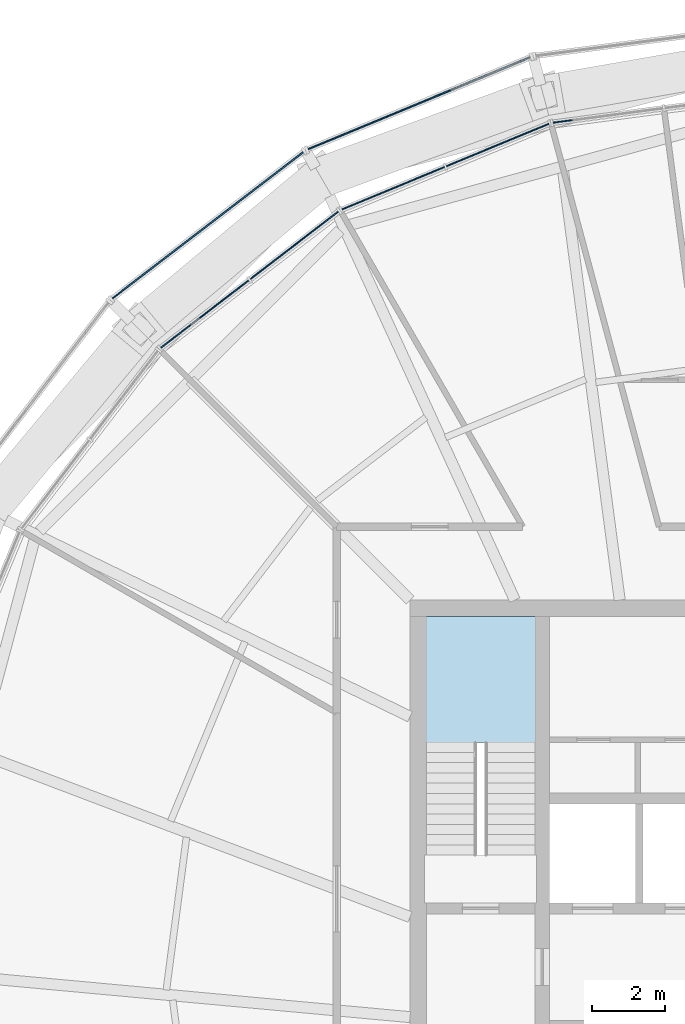
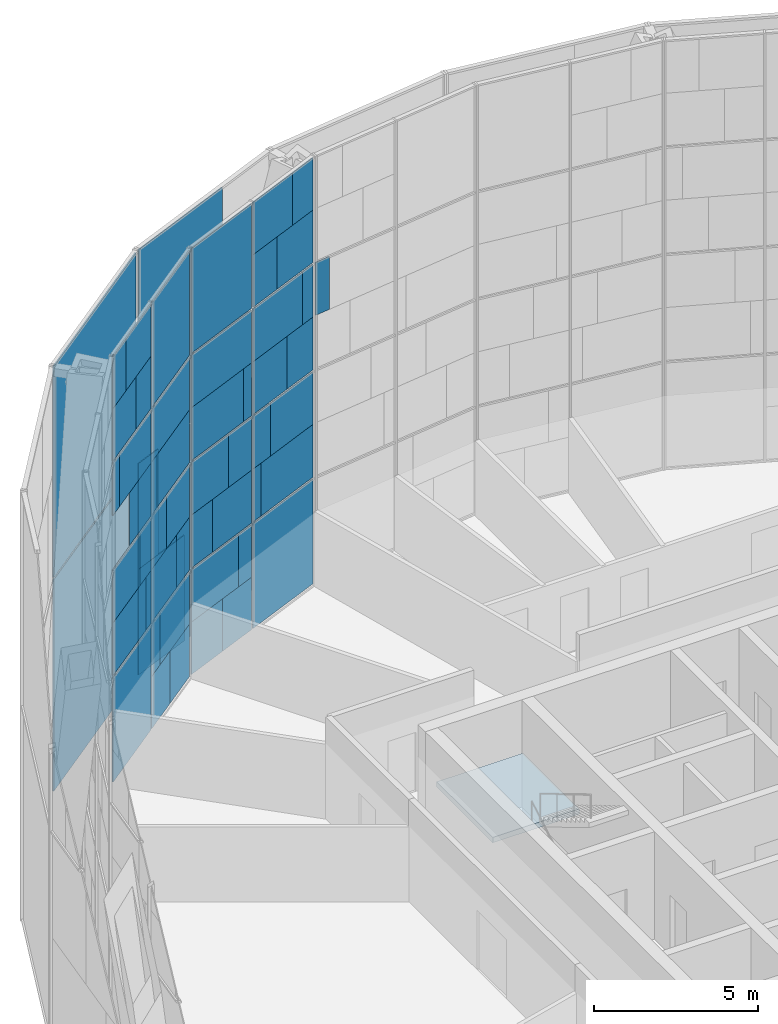
# One storey, part 21 of 28: 60 plates, 1 slab, 6 elements without a shape of their own.
"""IFC4 building model written with IfcOpenShell, lengths in metres."""

from ifc_helpers import new_model, si_unit, direction, frame, origin, origin_2d, place, context, subcontext, project, spatial, polyline, rectangle, outline, extrude, material, layer, layer_set, type_object, element, aggregate, save


model = new_model("IFC4")

# Units and contexts
model_context = context("Model", 3, precision=1e-05, world=origin(), true_north=direction((0.0, 1.0)))
body_context = subcontext(model_context, "Body", "Model", "MODEL_VIEW")
ifc_project = project(units=[si_unit("LENGTHUNIT", "METRE"), si_unit("AREAUNIT", "SQUARE_METRE"), si_unit("VOLUMEUNIT", "CUBIC_METRE"), si_unit("PLANEANGLEUNIT", "RADIAN"), si_unit("MASSUNIT", "GRAM", prefix="KILO")], contexts=[model_context])

# Site, building, storey
site_placement = place(None, origin())
site = spatial("IfcSite", under=ifc_project, at=site_placement, CompositionType="ELEMENT")
building_placement = place(site_placement, origin())
building = spatial("IfcBuilding", under=site, at=building_placement, Name="Golbaran Civic Tower", CompositionType="ELEMENT")
storey_placement = place(building_placement, frame((0.0, 0.0, 183.0)))
storey = spatial("IfcBuildingStorey", under=building, at=storey_placement, Name="L44", CompositionType="ELEMENT", Elevation=183.0)

# Curtain wall, plate
ifc_material_1 = material(Name="Aluminium and glass", Category="aluminium")
curtain_wall_type_1 = type_object("IfcCurtainWallType", Name="INNER SKIN CURTAIN WALL EXECUTIVE", PredefinedType="NOTDEFINED", material=ifc_material_1)
curtain_wall_1_placement = place(storey_placement, origin())
curtain_wall_1 = element("IfcCurtainWall", 1, at=curtain_wall_1_placement, inside=storey, type_object=curtain_wall_type_1, Name="Inner skin L44 facet 7 CW2", ObjectType="INNER SKIN", PredefinedType="USERDEFINED")
ifc_material_2 = material(Name="Clear insulating glass", Category="glass")
ifc_layer_1 = layer(ifc_material_2, 0.031982421875, Name="Clear insulating glass")
ifc_layer_set_1 = layer_set([ifc_layer_1], Name="Clear insulating glass")
plate_type_1 = type_object("IfcPlateType", Name="INNER SKIN CURTAIN WALL EXECUTIVE GLAZED PANEL", PredefinedType="CURTAIN_PANEL", material=ifc_layer_set_1)
plate_1_placement = place(storey_placement, frame((-5.84423828125, 23.04248046875, 10.0), z_axis=(0.0, 0.0, 1.0), x_axis=(-0.991444861383, -0.130526192151, 0.0)))
plate_1 = element("IfcPlate", 2, at=plate_1_placement, type_object=plate_type_1, Name="CW2 panel 2.3 part 4", PredefinedType="CURTAIN_PANEL", context=body_context, shape_type="SweptSolid", body=[
    extrude(rectangle(XDim=0.523193359375, YDim=0.031982421875, at=origin_2d()), origin(), (0.0, 0.0, 1.0), 1.969970703125),
])
aggregate(curtain_wall_1, [plate_1])

# Curtain wall, plates
curtain_wall_2_placement = place(storey_placement, origin())
curtain_wall_2 = element("IfcCurtainWall", 3, at=curtain_wall_2_placement, inside=storey, type_object=curtain_wall_type_1, Name="Inner skin L44 facet 8 CW2", ObjectType="INNER SKIN", PredefinedType="USERDEFINED")
plate_2_placement = place(storey_placement, frame((-7.612548828125, 22.400146484375, 0.06005859375), z_axis=(0.0, 0.0, 1.0), x_axis=(-0.923879532491, -0.382683432413, 0.0)))
plate_2 = element("IfcPlate", 4, at=plate_2_placement, type_object=plate_type_1, Name="CW2 panel 1.1", PredefinedType="CURTAIN_PANEL", context=body_context, shape_type="SweptSolid", body=[
    extrude(rectangle(XDim=3.01806640625, YDim=0.031982421875, at=origin_2d()), origin(), (0.0, 0.0, 1.0), 3.909912109375),
])
plate_3_placement = place(storey_placement, frame((-7.42724609375, 22.476806640625, 4.02978515625), z_axis=(0.0, 0.0, 1.0), x_axis=(-0.923879532491, -0.382683432413, 0.0)))
plate_3 = element("IfcPlate", 5, at=plate_3_placement, type_object=plate_type_1, Name="CW2 panel 1.2 part 1", PredefinedType="CURTAIN_PANEL", context=body_context, shape_type="SweptSolid", body=[
    extrude(rectangle(XDim=2.616943359375, YDim=0.031982421875, at=origin_2d()), origin(), (0.0, 0.0, 1.0), 1.969970703125),
])
plate_4_placement = place(storey_placement, frame((-7.205078125, 22.56884765625, 6.0), z_axis=(0.0, 0.0, 1.0), x_axis=(-0.923879532491, -0.382683432413, 0.0)))
plate_4 = element("IfcPlate", 6, at=plate_4_placement, type_object=plate_type_1, Name="CW2 panel 1.2 part 3", PredefinedType="CURTAIN_PANEL", context=body_context, shape_type="SweptSolid", body=[
    extrude(rectangle(XDim=2.135986328125, YDim=0.031982421875, at=origin_2d()), origin(), (0.0, 0.0, 1.0), 1.969970703125),
])
plate_5_placement = place(storey_placement, frame((-6.826904296875, 22.7255859375, 8.02978515625), z_axis=(0.0, 0.0, 1.0), x_axis=(-0.923879532491, -0.382683432413, 0.0)))
plate_5 = element("IfcPlate", 7, at=plate_5_placement, type_object=plate_type_1, Name="CW2 panel 1.3 part 1", PredefinedType="CURTAIN_PANEL", context=body_context, shape_type="SweptSolid", body=[
    extrude(rectangle(XDim=1.31689453125, YDim=0.031982421875, at=origin_2d()), origin(), (0.0, 0.0, 1.0), 1.969970703125),
])
plate_6_placement = place(storey_placement, frame((-6.4599609375, 22.877685546875, 10.0), z_axis=(0.0, 0.0, 1.0), x_axis=(-0.923879532491, -0.382683432413, 0.0)))
plate_6 = element("IfcPlate", 8, at=plate_6_placement, type_object=plate_type_1, Name="CW2 panel 1.3 part 3", PredefinedType="CURTAIN_PANEL", context=body_context, shape_type="SweptSolid", body=[
    extrude(rectangle(XDim=0.52294921875, YDim=0.031982421875, at=origin_2d()), origin(), (0.0, 0.0, 1.0), 1.969970703125),
])
plate_7_placement = place(storey_placement, frame((-8.44873046875, 22.053955078125, 12.030029296875), z_axis=(0.0, 0.0, 1.0), x_axis=(-0.923879532491, -0.382683432413, 0.0)))
plate_7 = element("IfcPlate", 9, at=plate_7_placement, type_object=plate_type_1, Name="CW2 panel 1.4 part 2", PredefinedType="CURTAIN_PANEL", context=body_context, shape_type="SweptSolid", body=[
    extrude(rectangle(XDim=1.2080078125, YDim=0.031982421875, at=origin_2d()), origin(), (0.0, 0.0, 1.0), 1.955078125),
])
plate_8_placement = place(storey_placement, frame((-8.084716796875, 22.20458984375, 13.98486328125), z_axis=(0.0, 0.0, 1.0), x_axis=(-0.923879532491, -0.382683432413, 0.0)))
plate_8 = element("IfcPlate", 10, at=plate_8_placement, type_object=plate_type_1, Name="CW2 panel 1.4 part 4", PredefinedType="CURTAIN_PANEL", context=body_context, shape_type="SweptSolid", body=[
    extrude(rectangle(XDim=1.99609375, YDim=0.031982421875, at=origin_2d()), origin(), (0.0, 0.0, 1.0), 1.955078125),
])
plate_9_placement = place(storey_placement, frame((-9.736083984375, 21.5205078125, 0.06005859375), z_axis=(0.0, 0.0, 1.0), x_axis=(-0.923879532491, -0.382683432413, 0.0)))
plate_9 = element("IfcPlate", 11, at=plate_9_placement, type_object=plate_type_1, Name="CW2 panel 2.1 part 1", PredefinedType="CURTAIN_PANEL", context=body_context, shape_type="SweptSolid", body=[
    extrude(rectangle(XDim=1.458984375, YDim=0.031982421875, at=origin_2d()), origin(), (0.0, 0.0, 1.0), 1.955078125),
])
plate_10_placement = place(storey_placement, frame((-9.371826171875, 21.671630859375, 2.014892578125), z_axis=(0.0, 0.0, 1.0), x_axis=(-0.923879532491, -0.382683432413, 0.0)))
plate_10 = element("IfcPlate", 12, at=plate_10_placement, type_object=plate_type_1, Name="CW2 panel 2.1 part 3", PredefinedType="CURTAIN_PANEL", context=body_context, shape_type="SweptSolid", body=[
    extrude(rectangle(XDim=0.669921875, YDim=0.031982421875, at=origin_2d()), origin(), (0.0, 0.0, 1.0), 1.955078125),
])
plate_11_placement = place(storey_placement, frame((-11.36083984375, 20.84765625, 4.02978515625), z_axis=(0.0, 0.0, 1.0), x_axis=(-0.923879532491, -0.382683432413, 0.0)))
plate_11 = element("IfcPlate", 13, at=plate_11_placement, type_object=plate_type_1, Name="CW2 panel 2.2 part 2", PredefinedType="CURTAIN_PANEL", context=body_context, shape_type="SweptSolid", body=[
    extrude(rectangle(XDim=1.06005859375, YDim=0.031982421875, at=origin_2d()), origin(), (0.0, 0.0, 1.0), 1.969970703125),
])
plate_12_placement = place(storey_placement, frame((-10.99365234375, 20.999755859375, 6.0), z_axis=(0.0, 0.0, 1.0), x_axis=(-0.923879532491, -0.382683432413, 0.0)))
plate_12 = element("IfcPlate", 14, at=plate_12_placement, type_object=plate_type_1, Name="CW2 panel 2.2 part 4", PredefinedType="CURTAIN_PANEL", context=body_context, shape_type="SweptSolid", body=[
    extrude(rectangle(XDim=1.85498046875, YDim=0.031982421875, at=origin_2d()), origin(), (0.0, 0.0, 1.0), 1.969970703125),
])
plate_13_placement = place(storey_placement, frame((-10.6416015625, 21.1455078125, 8.02978515625), z_axis=(0.0, 0.0, 1.0), x_axis=(-0.923879532491, -0.382683432413, 0.0)))
plate_13 = element("IfcPlate", 15, at=plate_13_placement, type_object=plate_type_1, Name="CW2 panel 2.3 part 2", PredefinedType="CURTAIN_PANEL", context=body_context, shape_type="SweptSolid", body=[
    extrude(rectangle(XDim=2.6171875, YDim=0.031982421875, at=origin_2d()), origin(), (0.0, 0.0, 1.0), 1.969970703125),
])
plate_14_placement = place(storey_placement, frame((-10.456298828125, 21.22216796875, 10.0), z_axis=(0.0, 0.0, 1.0), x_axis=(-0.923879532491, -0.382683432413, 0.0)))
plate_14 = element("IfcPlate", 16, at=plate_14_placement, type_object=plate_type_1, Name="CW2 panel 2.3 part 3", PredefinedType="CURTAIN_PANEL", context=body_context, shape_type="SweptSolid", body=[
    extrude(rectangle(XDim=3.01806640625, YDim=0.031982421875, at=origin_2d()), origin(), (0.0, 0.0, 1.0), 1.969970703125),
])
plate_15_placement = place(storey_placement, frame((-10.456298828125, 21.22216796875, 12.0302734375), z_axis=(0.0, 0.0, 1.0), x_axis=(-0.923879532491, -0.382683432413, 0.0)))
plate_15 = element("IfcPlate", 17, at=plate_15_placement, type_object=plate_type_1, Name="CW2 panel 2.4", PredefinedType="CURTAIN_PANEL", context=body_context, shape_type="SweptSolid", body=[
    extrude(rectangle(XDim=3.01806640625, YDim=0.031982421875, at=origin_2d()), origin(), (0.0, 0.0, 1.0), 3.909912109375),
])

curtain_wall_3_placement = place(storey_placement, origin())
curtain_wall_3 = element("IfcCurtainWall", 18, at=curtain_wall_3_placement, inside=storey, type_object=curtain_wall_type_1, Name="Inner skin L44 facet 9 CW2", ObjectType="INNER SKIN", PredefinedType="USERDEFINED")
plate_16_placement = place(storey_placement, frame((-13.769287109375, 19.192138671875, 0.06005859375), z_axis=(0.0, 0.0, 1.0), x_axis=(-0.793353340334, -0.608761428953, 0.0)))
plate_16 = element("IfcPlate", 19, at=plate_16_placement, type_object=plate_type_1, Name="CW2 panel 1.1 part 2", PredefinedType="CURTAIN_PANEL", context=body_context, shape_type="SweptSolid", body=[
    extrude(rectangle(XDim=1.458984375, YDim=0.031982421875, at=origin_2d()), origin(), (0.0, 0.0, 1.0), 1.955078125),
])
plate_17_placement = place(storey_placement, frame((-14.082275390625, 18.951904296875, 2.014892578125), z_axis=(0.0, 0.0, 1.0), x_axis=(-0.793353340334, -0.608761428953, 0.0)))
plate_17 = element("IfcPlate", 20, at=plate_17_placement, type_object=plate_type_1, Name="CW2 panel 1.1 part 4", PredefinedType="CURTAIN_PANEL", context=body_context, shape_type="SweptSolid", body=[
    extrude(rectangle(XDim=0.670166015625, YDim=0.031982421875, at=origin_2d()), origin(), (0.0, 0.0, 1.0), 1.955078125),
])
plate_18_placement = place(storey_placement, frame((-12.3740234375, 20.2626953125, 4.02978515625), z_axis=(0.0, 0.0, 1.0), x_axis=(-0.793353340334, -0.608761428953, 0.0)))
plate_18 = element("IfcPlate", 21, at=plate_18_placement, type_object=plate_type_1, Name="CW2 panel 1.2 part 1", PredefinedType="CURTAIN_PANEL", context=body_context, shape_type="SweptSolid", body=[
    extrude(rectangle(XDim=1.06005859375, YDim=0.031982421875, at=origin_2d()), origin(), (0.0, 0.0, 1.0), 1.969970703125),
])
plate_19_placement = place(storey_placement, frame((-12.689453125, 20.020751953125, 6.0), z_axis=(0.0, 0.0, 1.0), x_axis=(-0.793353340334, -0.608761428953, 0.0)))
plate_19 = element("IfcPlate", 22, at=plate_19_placement, type_object=plate_type_1, Name="CW2 panel 1.2 part 3", PredefinedType="CURTAIN_PANEL", context=body_context, shape_type="SweptSolid", body=[
    extrude(rectangle(XDim=1.85498046875, YDim=0.031982421875, at=origin_2d()), origin(), (0.0, 0.0, 1.0), 1.969970703125),
])
plate_20_placement = place(storey_placement, frame((-12.99169921875, 19.788818359375, 8.02978515625), z_axis=(0.0, 0.0, 1.0), x_axis=(-0.793353340334, -0.608761428953, 0.0)))
plate_20 = element("IfcPlate", 23, at=plate_20_placement, type_object=plate_type_1, Name="CW2 panel 1.3 part 1", PredefinedType="CURTAIN_PANEL", context=body_context, shape_type="SweptSolid", body=[
    extrude(rectangle(XDim=2.616943359375, YDim=0.031982421875, at=origin_2d()), origin(), (0.0, 0.0, 1.0), 1.969970703125),
])
plate_21_placement = place(storey_placement, frame((-13.15087890625, 19.66650390625, 10.0), z_axis=(0.0, 0.0, 1.0), x_axis=(-0.793353340334, -0.608761428953, 0.0)))
plate_21 = element("IfcPlate", 24, at=plate_21_placement, type_object=plate_type_1, Name="CW2 panel 1.3 part 3", PredefinedType="CURTAIN_PANEL", context=body_context, shape_type="SweptSolid", body=[
    extrude(rectangle(XDim=3.01806640625, YDim=0.031982421875, at=origin_2d()), origin(), (0.0, 0.0, 1.0), 1.969970703125),
])
plate_22_placement = place(storey_placement, frame((-13.15087890625, 19.66650390625, 12.0302734375), z_axis=(0.0, 0.0, 1.0), x_axis=(-0.793353340334, -0.608761428953, 0.0)))
plate_22 = element("IfcPlate", 25, at=plate_22_placement, type_object=plate_type_1, Name="CW2 panel 1.4", PredefinedType="CURTAIN_PANEL", context=body_context, shape_type="SweptSolid", body=[
    extrude(rectangle(XDim=3.01806640625, YDim=0.031982421875, at=origin_2d()), origin(), (0.0, 0.0, 1.0), 3.909912109375),
])
plate_23_placement = place(storey_placement, frame((-15.5927734375, 17.792724609375, 0.06005859375), z_axis=(0.0, 0.0, 1.0), x_axis=(-0.793353340334, -0.608761428953, 0.0)))
plate_23 = element("IfcPlate", 26, at=plate_23_placement, type_object=plate_type_1, Name="CW2 panel 2.1", PredefinedType="CURTAIN_PANEL", context=body_context, shape_type="SweptSolid", body=[
    extrude(rectangle(XDim=3.01806640625, YDim=0.031982421875, at=origin_2d()), origin(), (0.0, 0.0, 1.0), 3.909912109375),
])
plate_24_placement = place(storey_placement, frame((-15.75146484375, 17.671142578125, 4.02978515625), z_axis=(0.0, 0.0, 1.0), x_axis=(-0.793353340334, -0.608761428953, 0.0)))
plate_24 = element("IfcPlate", 27, at=plate_24_placement, type_object=plate_type_1, Name="CW2 panel 2.2 part 2", PredefinedType="CURTAIN_PANEL", context=body_context, shape_type="SweptSolid", body=[
    extrude(rectangle(XDim=2.6181640625, YDim=0.031982421875, at=origin_2d()), origin(), (0.0, 0.0, 1.0), 1.969970703125),
])
plate_25_placement = place(storey_placement, frame((-15.942626953125, 17.5244140625, 6.0), z_axis=(0.0, 0.0, 1.0), x_axis=(-0.793353340334, -0.608761428953, 0.0)))
plate_25 = element("IfcPlate", 28, at=plate_25_placement, type_object=plate_type_1, Name="CW2 panel 2.2 part 4", PredefinedType="CURTAIN_PANEL", context=body_context, shape_type="SweptSolid", body=[
    extrude(rectangle(XDim=2.135986328125, YDim=0.031982421875, at=origin_2d()), origin(), (0.0, 0.0, 1.0), 1.969970703125),
])
plate_26_placement = place(storey_placement, frame((-16.58251953125, 17.033447265625, 10.0), z_axis=(0.0, 0.0, 1.0), x_axis=(-0.793353340334, -0.608761428953, 0.0)))
plate_26 = element("IfcPlate", 29, at=plate_26_placement, type_object=plate_type_1, Name="CW2 panel 2.3 part 4", PredefinedType="CURTAIN_PANEL", context=body_context, shape_type="SweptSolid", body=[
    extrude(rectangle(XDim=0.523193359375, YDim=0.031982421875, at=origin_2d()), origin(), (0.0, 0.0, 1.0), 1.969970703125),
])
plate_27_placement = place(storey_placement, frame((-14.874755859375, 18.34375, 12.030029296875), z_axis=(0.0, 0.0, 1.0), x_axis=(-0.793353340334, -0.608761428953, 0.0)))
plate_27 = element("IfcPlate", 30, at=plate_27_placement, type_object=plate_type_1, Name="CW2 panel 2.4 part 1", PredefinedType="CURTAIN_PANEL", context=body_context, shape_type="SweptSolid", body=[
    extrude(rectangle(XDim=1.2080078125, YDim=0.031982421875, at=origin_2d()), origin(), (0.0, 0.0, 1.0), 1.955078125),
])
plate_28_placement = place(storey_placement, frame((-15.1875, 18.10400390625, 13.98486328125), z_axis=(0.0, 0.0, 1.0), x_axis=(-0.793353340334, -0.608761428953, 0.0)))
plate_28 = element("IfcPlate", 31, at=plate_28_placement, type_object=plate_type_1, Name="CW2 panel 2.4 part 3", PredefinedType="CURTAIN_PANEL", context=body_context, shape_type="SweptSolid", body=[
    extrude(rectangle(XDim=1.99609375, YDim=0.031982421875, at=origin_2d()), origin(), (0.0, 0.0, 1.0), 1.955078125),
])

# Plate
ifc_material_3 = material(Name="Aluminium faced opaque infill panel", Category="aluminium")
ifc_layer_2 = layer(ifc_material_3, 0.031982421875, Name="Aluminium faced opaque infill panel")
ifc_layer_set_2 = layer_set([ifc_layer_2], Name="Aluminium faced opaque infill panel")
plate_type_2 = type_object("IfcPlateType", Name="INNER SKIN CURTAIN WALL EXECUTIVE OPAQUE INFILL PANEL", PredefinedType="CURTAIN_PANEL", material=ifc_layer_set_2)
plate_29_placement = place(storey_placement, frame((-8.821533203125, 21.8994140625, 4.02978515625), z_axis=(0.0, 0.0, 1.0), x_axis=(-0.923879532491, -0.382683432413, 0.0)))
plate_29 = element("IfcPlate", 32, at=plate_29_placement, type_object=plate_type_2, Name="CW2 infill panel 1.2 part 2", PredefinedType="CURTAIN_PANEL", context=body_context, shape_type="SweptSolid", body=[
    extrude(rectangle(XDim=0.401123046875, YDim=0.031982421875, at=origin_2d()), origin(), (0.0, 0.0, 1.0), 1.969970703125),
])

plate_30_placement = place(storey_placement, frame((-8.599365234375, 21.991455078125, 6.0), z_axis=(0.0, 0.0, 1.0), x_axis=(-0.923879532491, -0.382683432413, 0.0)))
plate_30 = element("IfcPlate", 33, at=plate_30_placement, type_object=plate_type_2, Name="CW2 infill panel 1.2 part 4", PredefinedType="CURTAIN_PANEL", context=body_context, shape_type="SweptSolid", body=[
    extrude(rectangle(XDim=0.882080078125, YDim=0.031982421875, at=origin_2d()), origin(), (0.0, 0.0, 1.0), 1.969970703125),
])

plate_31_placement = place(storey_placement, frame((-8.220947265625, 22.148193359375, 8.02978515625), z_axis=(0.0, 0.0, 1.0), x_axis=(-0.923879532491, -0.382683432413, 0.0)))
plate_31 = element("IfcPlate", 34, at=plate_31_placement, type_object=plate_type_2, Name="CW2 infill panel 1.3 part 2", PredefinedType="CURTAIN_PANEL", context=body_context, shape_type="SweptSolid", body=[
    extrude(rectangle(XDim=1.701171875, YDim=0.031982421875, at=origin_2d()), origin(), (0.0, 0.0, 1.0), 1.969970703125),
])

plate_32_placement = place(storey_placement, frame((-7.854248046875, 22.300048828125, 10.0), z_axis=(0.0, 0.0, 1.0), x_axis=(-0.923879532491, -0.382683432413, 0.0)))
plate_32 = element("IfcPlate", 35, at=plate_32_placement, type_object=plate_type_2, Name="CW2 infill panel 1.3 part 4", PredefinedType="CURTAIN_PANEL", context=body_context, shape_type="SweptSolid", body=[
    extrude(rectangle(XDim=2.4951171875, YDim=0.031982421875, at=origin_2d()), origin(), (0.0, 0.0, 1.0), 1.969970703125),
])

plate_33_placement = place(storey_placement, frame((-7.054443359375, 22.63134765625, 12.030029296875), z_axis=(0.0, 0.0, 1.0), x_axis=(-0.923879532491, -0.382683432413, 0.0)))
plate_33 = element("IfcPlate", 36, at=plate_33_placement, type_object=plate_type_2, Name="CW2 infill panel 1.4 part 1", PredefinedType="CURTAIN_PANEL", context=body_context, shape_type="SweptSolid", body=[
    extrude(rectangle(XDim=1.81005859375, YDim=0.031982421875, at=origin_2d()), origin(), (0.0, 0.0, 1.0), 1.955078125),
])

plate_34_placement = place(storey_placement, frame((-6.6904296875, 22.7822265625, 13.98486328125), z_axis=(0.0, 0.0, 1.0), x_axis=(-0.923879532491, -0.382683432413, 0.0)))
plate_34 = element("IfcPlate", 37, at=plate_34_placement, type_object=plate_type_2, Name="CW2 infill panel 1.4 part 3", PredefinedType="CURTAIN_PANEL", context=body_context, shape_type="SweptSolid", body=[
    extrude(rectangle(XDim=1.02197265625, YDim=0.031982421875, at=origin_2d()), origin(), (0.0, 0.0, 1.0), 1.955078125),
])

plate_35_placement = place(storey_placement, frame((-11.13037109375, 20.943115234375, 0.06005859375), z_axis=(0.0, 0.0, 1.0), x_axis=(-0.923879532491, -0.382683432413, 0.0)))
plate_35 = element("IfcPlate", 38, at=plate_35_placement, type_object=plate_type_2, Name="CW2 infill panel 2.1 part 2", PredefinedType="CURTAIN_PANEL", context=body_context, shape_type="SweptSolid", body=[
    extrude(rectangle(XDim=1.55908203125, YDim=0.031982421875, at=origin_2d()), origin(), (0.0, 0.0, 1.0), 1.955078125),
])

plate_36_placement = place(storey_placement, frame((-10.765869140625, 21.093994140625, 2.014892578125), z_axis=(0.0, 0.0, 1.0), x_axis=(-0.923879532491, -0.382683432413, 0.0)))
plate_36 = element("IfcPlate", 39, at=plate_36_placement, type_object=plate_type_2, Name="CW2 infill panel 2.1 part 4", PredefinedType="CURTAIN_PANEL", context=body_context, shape_type="SweptSolid", body=[
    extrude(rectangle(XDim=2.34814453125, YDim=0.031982421875, at=origin_2d()), origin(), (0.0, 0.0, 1.0), 1.955078125),
])

plate_37_placement = place(storey_placement, frame((-9.966796875, 21.425048828125, 4.02978515625), z_axis=(0.0, 0.0, 1.0), x_axis=(-0.923879532491, -0.382683432413, 0.0)))
plate_37 = element("IfcPlate", 40, at=plate_37_placement, type_object=plate_type_2, Name="CW2 infill panel 2.2 part 1", PredefinedType="CURTAIN_PANEL", context=body_context, shape_type="SweptSolid", body=[
    extrude(rectangle(XDim=1.9580078125, YDim=0.031982421875, at=origin_2d()), origin(), (0.0, 0.0, 1.0), 1.969970703125),
])

plate_38_placement = place(storey_placement, frame((-9.599365234375, 21.5771484375, 6.0), z_axis=(0.0, 0.0, 1.0), x_axis=(-0.923879532491, -0.382683432413, 0.0)))
plate_38 = element("IfcPlate", 41, at=plate_38_placement, type_object=plate_type_2, Name="CW2 infill panel 2.2 part 3", PredefinedType="CURTAIN_PANEL", context=body_context, shape_type="SweptSolid", body=[
    extrude(rectangle(XDim=1.1630859375, YDim=0.031982421875, at=origin_2d()), origin(), (0.0, 0.0, 1.0), 1.969970703125),
])

plate_39_placement = place(storey_placement, frame((-9.24755859375, 21.722900390625, 8.02978515625), z_axis=(0.0, 0.0, 1.0), x_axis=(-0.923879532491, -0.382683432413, 0.0)))
plate_39 = element("IfcPlate", 42, at=plate_39_placement, type_object=plate_type_2, Name="CW2 infill panel 2.3 part 1", PredefinedType="CURTAIN_PANEL", context=body_context, shape_type="SweptSolid", body=[
    extrude(rectangle(XDim=0.40087890625, YDim=0.031982421875, at=origin_2d()), origin(), (0.0, 0.0, 1.0), 1.969970703125),
])

aggregate(curtain_wall_2, [plate_2, plate_3, plate_29, plate_4, plate_30, plate_5, plate_31, plate_6, plate_32, plate_33, plate_7, plate_34, plate_8, plate_9, plate_35, plate_10, plate_36, plate_37, plate_11, plate_38, plate_12, plate_39, plate_13, plate_14, plate_15])

plate_40_placement = place(storey_placement, frame((-12.572021484375, 20.11083984375, 0.06005859375), z_axis=(0.0, 0.0, 1.0), x_axis=(-0.793353340334, -0.608761428953, 0.0)))
plate_40 = element("IfcPlate", 43, at=plate_40_placement, type_object=plate_type_2, Name="CW2 infill panel 1.1 part 1", PredefinedType="CURTAIN_PANEL", context=body_context, shape_type="SweptSolid", body=[
    extrude(rectangle(XDim=1.55908203125, YDim=0.031982421875, at=origin_2d()), origin(), (0.0, 0.0, 1.0), 1.955078125),
])

plate_41_placement = place(storey_placement, frame((-12.885009765625, 19.87060546875, 2.014892578125), z_axis=(0.0, 0.0, 1.0), x_axis=(-0.793353340334, -0.608761428953, 0.0)))
plate_41 = element("IfcPlate", 44, at=plate_41_placement, type_object=plate_type_2, Name="CW2 infill panel 1.1 part 3", PredefinedType="CURTAIN_PANEL", context=body_context, shape_type="SweptSolid", body=[
    extrude(rectangle(XDim=2.347900390625, YDim=0.031982421875, at=origin_2d()), origin(), (0.0, 0.0, 1.0), 1.955078125),
])

plate_42_placement = place(storey_placement, frame((-13.5712890625, 19.343994140625, 4.02978515625), z_axis=(0.0, 0.0, 1.0), x_axis=(-0.793353340334, -0.608761428953, 0.0)))
plate_42 = element("IfcPlate", 45, at=plate_42_placement, type_object=plate_type_2, Name="CW2 infill panel 1.2 part 2", PredefinedType="CURTAIN_PANEL", context=body_context, shape_type="SweptSolid", body=[
    extrude(rectangle(XDim=1.9580078125, YDim=0.031982421875, at=origin_2d()), origin(), (0.0, 0.0, 1.0), 1.969970703125),
])

plate_43_placement = place(storey_placement, frame((-13.88671875, 19.10205078125, 6.0), z_axis=(0.0, 0.0, 1.0), x_axis=(-0.793353340334, -0.608761428953, 0.0)))
plate_43 = element("IfcPlate", 46, at=plate_43_placement, type_object=plate_type_2, Name="CW2 infill panel 1.2 part 4", PredefinedType="CURTAIN_PANEL", context=body_context, shape_type="SweptSolid", body=[
    extrude(rectangle(XDim=1.1630859375, YDim=0.031982421875, at=origin_2d()), origin(), (0.0, 0.0, 1.0), 1.969970703125),
])

plate_44_placement = place(storey_placement, frame((-14.18896484375, 18.8701171875, 8.02978515625), z_axis=(0.0, 0.0, 1.0), x_axis=(-0.793353340334, -0.608761428953, 0.0)))
plate_44 = element("IfcPlate", 47, at=plate_44_placement, type_object=plate_type_2, Name="CW2 infill panel 1.3 part 2", PredefinedType="CURTAIN_PANEL", context=body_context, shape_type="SweptSolid", body=[
    extrude(rectangle(XDim=0.401123046875, YDim=0.031982421875, at=origin_2d()), origin(), (0.0, 0.0, 1.0), 1.969970703125),
])

plate_45_placement = place(storey_placement, frame((-14.55419921875, 18.589599609375, 4.02978515625), z_axis=(0.0, 0.0, 1.0), x_axis=(-0.793353340334, -0.608761428953, 0.0)))
plate_45 = element("IfcPlate", 48, at=plate_45_placement, type_object=plate_type_2, Name="CW2 infill panel 2.2 part 1", PredefinedType="CURTAIN_PANEL", context=body_context, shape_type="SweptSolid", body=[
    extrude(rectangle(XDim=0.39990234375, YDim=0.031982421875, at=origin_2d()), origin(), (0.0, 0.0, 1.0), 1.969970703125),
])

plate_46_placement = place(storey_placement, frame((-14.745361328125, 18.44287109375, 6.0), z_axis=(0.0, 0.0, 1.0), x_axis=(-0.793353340334, -0.608761428953, 0.0)))
plate_46 = element("IfcPlate", 49, at=plate_46_placement, type_object=plate_type_2, Name="CW2 infill panel 2.2 part 3", PredefinedType="CURTAIN_PANEL", context=body_context, shape_type="SweptSolid", body=[
    extrude(rectangle(XDim=0.882080078125, YDim=0.031982421875, at=origin_2d()), origin(), (0.0, 0.0, 1.0), 1.969970703125),
])

plate_47_placement = place(storey_placement, frame((-15.0703125, 18.193603515625, 8.02978515625), z_axis=(0.0, 0.0, 1.0), x_axis=(-0.793353340334, -0.608761428953, 0.0)))
plate_47 = element("IfcPlate", 50, at=plate_47_placement, type_object=plate_type_2, Name="CW2 infill panel 2.3 part 1", PredefinedType="CURTAIN_PANEL", context=body_context, shape_type="SweptSolid", body=[
    extrude(rectangle(XDim=1.700927734375, YDim=0.031982421875, at=origin_2d()), origin(), (0.0, 0.0, 1.0), 1.969970703125),
])

plate_48_placement = place(storey_placement, frame((-15.38525390625, 17.951904296875, 10.0), z_axis=(0.0, 0.0, 1.0), x_axis=(-0.793353340334, -0.608761428953, 0.0)))
plate_48 = element("IfcPlate", 51, at=plate_48_placement, type_object=plate_type_2, Name="CW2 infill panel 2.3 part 3", PredefinedType="CURTAIN_PANEL", context=body_context, shape_type="SweptSolid", body=[
    extrude(rectangle(XDim=2.4951171875, YDim=0.031982421875, at=origin_2d()), origin(), (0.0, 0.0, 1.0), 1.969970703125),
])

plate_49_placement = place(storey_placement, frame((-16.072021484375, 17.425048828125, 12.030029296875), z_axis=(0.0, 0.0, 1.0), x_axis=(-0.793353340334, -0.608761428953, 0.0)))
plate_49 = element("IfcPlate", 52, at=plate_49_placement, type_object=plate_type_2, Name="CW2 infill panel 2.4 part 2", PredefinedType="CURTAIN_PANEL", context=body_context, shape_type="SweptSolid", body=[
    extrude(rectangle(XDim=1.81005859375, YDim=0.031982421875, at=origin_2d()), origin(), (0.0, 0.0, 1.0), 1.955078125),
])

plate_50_placement = place(storey_placement, frame((-16.384521484375, 17.185302734375, 13.98486328125), z_axis=(0.0, 0.0, 1.0), x_axis=(-0.793353340334, -0.608761428953, 0.0)))
plate_50 = element("IfcPlate", 53, at=plate_50_placement, type_object=plate_type_2, Name="CW2 infill panel 2.4 part 4", PredefinedType="CURTAIN_PANEL", context=body_context, shape_type="SweptSolid", body=[
    extrude(rectangle(XDim=1.02197265625, YDim=0.031982421875, at=origin_2d()), origin(), (0.0, 0.0, 1.0), 1.955078125),
])

aggregate(curtain_wall_3, [plate_40, plate_16, plate_41, plate_17, plate_18, plate_42, plate_19, plate_43, plate_20, plate_44, plate_21, plate_22, plate_23, plate_45, plate_24, plate_46, plate_25, plate_47, plate_48, plate_26, plate_27, plate_49, plate_28, plate_50])

# Curtain wall, plates
curtain_wall_type_2 = type_object("IfcCurtainWallType", Name="OUTER SKIN TERRACOTTA SCREEN", PredefinedType="NOTDEFINED", material=ifc_material_1)
curtain_wall_4_placement = place(storey_placement, origin())
curtain_wall_4 = element("IfcCurtainWall", 54, at=curtain_wall_4_placement, inside=storey, type_object=curtain_wall_type_2, Name="Outer skin L44 facet 8 CW3", ObjectType="OUTER SKIN", PredefinedType="USERDEFINED")
ifc_material_4 = material(Name="Clear laminated glass", Category="glass")
ifc_layer_3 = layer(ifc_material_4, 0.0400390625, Name="Clear laminated glass")
ifc_layer_set_3 = layer_set([ifc_layer_3], Name="Clear laminated glass")
plate_type_3 = type_object("IfcPlateType", Name="OUTER SKIN CLEAR GLASS PANEL", PredefinedType="CURTAIN_PANEL", material=ifc_layer_set_3)
plate_51_placement = place(storey_placement, frame((-8.683837890625, 23.979248046875, -0.6298828125), z_axis=(0.0, 0.0, 1.0), x_axis=(-0.923879532518, -0.382683432349, 0.0)))
plate_51 = element("IfcPlate", 55, at=plate_51_placement, type_object=plate_type_3, Name="CW3 panel 1.1 part 1", PredefinedType="CURTAIN_PANEL", context=body_context, shape_type="SweptSolid", body=[
    extrude(rectangle(XDim=4.240966796875, YDim=0.0400390625, at=origin_2d()), origin(), (0.0, 0.0, 1.0), 3.93994140625),
])
plate_52_placement = place(storey_placement, frame((-7.949951171875, 24.283447265625, 3.31005859375), z_axis=(0.0, 0.0, 1.0), x_axis=(-0.923879532518, -0.382683432349, 0.0)))
plate_52 = element("IfcPlate", 56, at=plate_52_placement, type_object=plate_type_3, Name="CW3 panel 1.1 part 3", PredefinedType="CURTAIN_PANEL", context=body_context, shape_type="SweptSolid", body=[
    extrude(rectangle(XDim=2.652099609375, YDim=0.0400390625, at=origin_2d()), origin(), (0.0, 0.0, 1.0), 3.93994140625),
])
plate_53_placement = place(storey_placement, frame((-12.314453125, 22.4755859375, 3.31005859375), z_axis=(0.0, 0.0, 1.0), x_axis=(-0.923879532518, -0.382683432349, 0.0)))
plate_53 = element("IfcPlate", 57, at=plate_53_placement, type_object=plate_type_3, Name="CW3 panel 1.1 part 5", PredefinedType="CURTAIN_PANEL", context=body_context, shape_type="SweptSolid", body=[
    extrude(rectangle(XDim=0.996337890625, YDim=0.0400390625, at=origin_2d()), origin(), (0.0, 0.0, 1.0), 3.93994140625),
])
plate_54_placement = place(storey_placement, frame((-11.565673828125, 22.78564453125, 7.330078125), z_axis=(0.0, 0.0, 1.0), x_axis=(-0.923879532518, -0.382683432349, 0.0)))
plate_54 = element("IfcPlate", 58, at=plate_54_placement, type_object=plate_type_3, Name="CW3 panel 1.2 part 3", PredefinedType="CURTAIN_PANEL", context=body_context, shape_type="SweptSolid", body=[
    extrude(rectangle(XDim=2.6171875, YDim=0.0400390625, at=origin_2d()), origin(), (0.0, 0.0, 1.0), 3.93994140625),
])
plate_55_placement = place(storey_placement, frame((-10.83056640625, 23.090087890625, 11.27001953125), z_axis=(0.0, 0.0, 1.0), x_axis=(-0.923879532518, -0.382683432349, 0.0)))
plate_55 = element("IfcPlate", 59, at=plate_55_placement, type_object=plate_type_3, Name="CW3 panel 1.2 part 5", PredefinedType="CURTAIN_PANEL", context=body_context, shape_type="SweptSolid", body=[
    extrude(rectangle(XDim=4.208251953125, YDim=0.0400390625, at=origin_2d()), origin(), (0.0, 0.0, 1.0), 3.93994140625),
])
ifc_material_5 = material(Name="Terracotta baguette screen", Category="masonry")
ifc_layer_4 = layer(ifc_material_5, 0.0400390625, Name="Terracotta baguette screen")
ifc_layer_set_4 = layer_set([ifc_layer_4], Name="Terracotta baguette screen")
plate_type_4 = type_object("IfcPlateType", Name="OUTER SKIN TERRACOTTA INFILL PANEL", PredefinedType="CURTAIN_PANEL", material=ifc_layer_set_4)
plate_56_placement = place(storey_placement, frame((-11.708740234375, 22.726318359375, -0.6298828125), z_axis=(0.0, 0.0, 1.0), x_axis=(-0.923879532518, -0.382683432349, 0.0)))
plate_56 = element("IfcPlate", 60, at=plate_56_placement, type_object=plate_type_4, Name="CW3 infill panel 1.1 part 2", PredefinedType="CURTAIN_PANEL", context=body_context, shape_type="SweptSolid", body=[
    extrude(rectangle(XDim=2.307373046875, YDim=0.0400390625, at=origin_2d()), origin(), (0.0, 0.0, 1.0), 3.93994140625),
])
plate_57_placement = place(storey_placement, frame((-10.5146484375, 23.220947265625, 3.31005859375), z_axis=(0.0, 0.0, 1.0), x_axis=(-0.923879532518, -0.382683432349, 0.0)))
plate_57 = element("IfcPlate", 61, at=plate_57_placement, type_object=plate_type_4, Name="CW3 infill panel 1.1 part 4", PredefinedType="CURTAIN_PANEL", context=body_context, shape_type="SweptSolid", body=[
    extrude(rectangle(XDim=2.89990234375, YDim=0.0400390625, at=origin_2d()), origin(), (0.0, 0.0, 1.0), 3.93994140625),
])
plate_58_placement = place(storey_placement, frame((-9.016845703125, 23.84130859375, 7.330078125), z_axis=(0.0, 0.0, 1.0), x_axis=(-0.923879532518, -0.382683432349, 0.0)))
plate_58 = element("IfcPlate", 62, at=plate_58_placement, type_object=plate_type_4, Name="CW3 infill panel 1.2 part 2", PredefinedType="CURTAIN_PANEL", context=body_context, shape_type="SweptSolid", body=[
    extrude(rectangle(XDim=2.89990234375, YDim=0.0400390625, at=origin_2d()), origin(), (0.0, 0.0, 1.0), 3.93994140625),
])
aggregate(curtain_wall_4, [plate_51, plate_56, plate_52, plate_57, plate_53, plate_58, plate_54, plate_55])

curtain_wall_5_placement = place(storey_placement, origin())
curtain_wall_5 = element("IfcCurtainWall", 63, at=curtain_wall_5_placement, inside=storey, type_object=curtain_wall_type_2, Name="Outer skin L44 facet 9 CW3", ObjectType="OUTER SKIN", PredefinedType="USERDEFINED")
ifc_layer_5 = layer(ifc_material_5, 0.0400390625, Name="Terracotta baguette screen")
ifc_layer_set_5 = layer_set([ifc_layer_5], Name="Terracotta baguette screen")
plate_type_5 = type_object("IfcPlateType", Name="OUTER SKIN TERRACOTTA SCREEN PANEL", PredefinedType="CURTAIN_PANEL", material=ifc_layer_set_5)
plate_59_placement = place(storey_placement, frame((-15.509521484375, 20.21240234375, -0.6298828125), z_axis=(0.0, 0.0, 1.0), x_axis=(-0.793353340281, -0.608761429023, 0.0)))
plate_59 = element("IfcPlate", 64, at=plate_59_placement, type_object=plate_type_5, Name="CW3 terracotta screen panel 1.1", PredefinedType="CURTAIN_PANEL", context=body_context, shape_type="SweptSolid", body=[
    extrude(rectangle(XDim=6.54833984375, YDim=0.0400390625, at=origin_2d()), origin(), (0.0, 0.0, 1.0), 7.8798828125),
])
plate_60_placement = place(storey_placement, frame((-15.509521484375, 20.21240234375, 7.330078125), z_axis=(0.0, 0.0, 1.0), x_axis=(-0.793353340281, -0.608761429023, 0.0)))
plate_60 = element("IfcPlate", 65, at=plate_60_placement, type_object=plate_type_5, Name="CW3 terracotta screen panel 1.2", PredefinedType="CURTAIN_PANEL", context=body_context, shape_type="SweptSolid", body=[
    extrude(rectangle(XDim=6.54833984375, YDim=0.0400390625, at=origin_2d()), origin(), (0.0, 0.0, 1.0), 7.8798828125),
])
aggregate(curtain_wall_5, [plate_59, plate_60])

# Stair, slab
ifc_material_6 = material(Name="Concrete C35/45", Category="concrete")
stair_type = type_object("IfcStairType", Name="EXIT STAIR 2950 x 7800, 4000 RISE", PredefinedType="HALF_TURN_STAIR", material=ifc_material_6)
stair_placement = place(storey_placement, origin())
stair = element("IfcStair", 66, at=stair_placement, inside=storey, type_object=stair_type, Name="Stair S1 L44", PredefinedType="HALF_TURN_STAIR")
ifc_layer_6 = layer(ifc_material_6, 0.199951171875, Name="Concrete C35/45")
ifc_layer_set_6 = layer_set([ifc_layer_6], Name="Concrete C35/45")
slab_type = type_object("IfcSlabType", Name="STAIR LANDING 200", PredefinedType="LANDING", material=ifc_layer_set_6)
slab_placement = place(storey_placement, frame((0.0, 0.0, 1.800048828125)))
slab = element("IfcSlab", 67, at=slab_placement, type_object=slab_type, Name="ST29578-40 landing 1", PredefinedType="LANDING", context=body_context, shape_type="SweptSolid", body=[
    extrude(outline(polyline([(-9.60009765625, 6.125), (-9.60009765625, 9.550048828125), (-6.550048828125, 9.550048828125), (-6.550048828125, 6.125), (-9.60009765625, 6.125)])), origin(), (0.0, 0.0, 1.0), 0.199951171875),
])
aggregate(stair, [slab])

save(model, "model.ifc")
